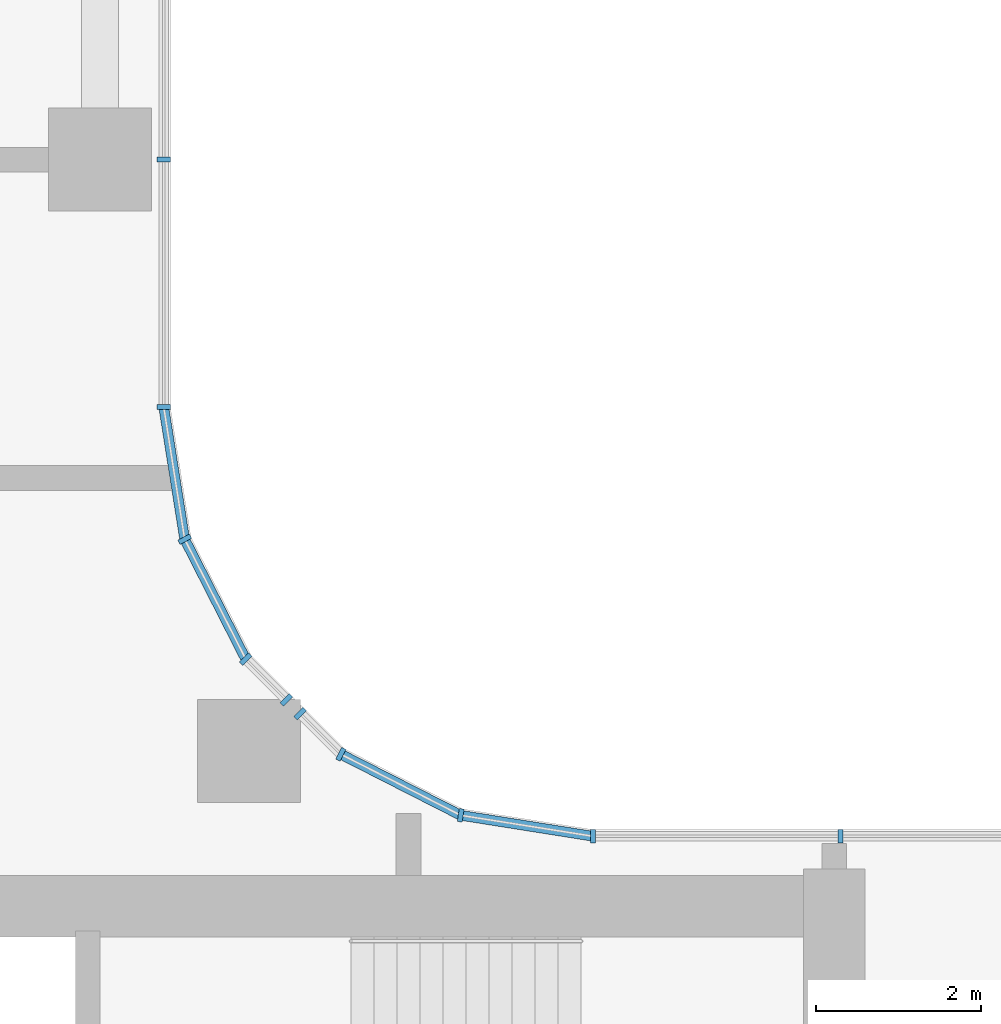
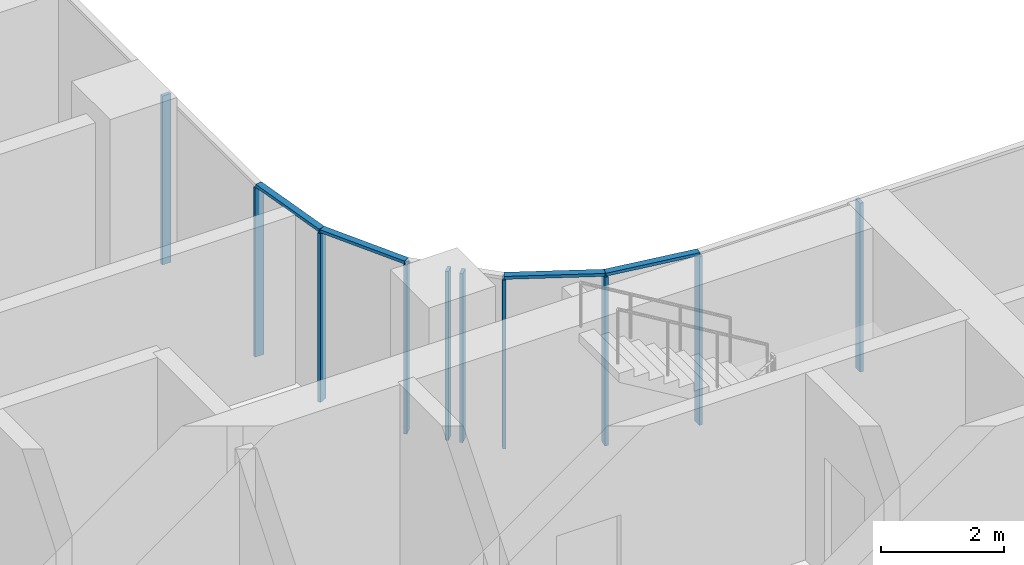
# One storey, part 2 of 35: 14 members, 4 elements without a shape of their own.
"""IFC4 building model written with IfcOpenShell, lengths in metres."""

from ifc_helpers import new_model, si_unit, direction, frame, origin, origin_2d, place, context, subcontext, project, spatial, rectangle, extrude, material, material_profile, profile_set, type_object, element, aggregate, save


model = new_model("IFC4")

# Units and contexts
model_context = context("Model", 3, precision=1e-05, world=origin(), true_north=direction((0.0, 1.0)))
body_context = subcontext(model_context, "Body", "Model", "MODEL_VIEW")
ifc_project = project(units=[si_unit("LENGTHUNIT", "METRE"), si_unit("AREAUNIT", "SQUARE_METRE"), si_unit("VOLUMEUNIT", "CUBIC_METRE"), si_unit("PLANEANGLEUNIT", "RADIAN"), si_unit("MASSUNIT", "GRAM", prefix="KILO")], contexts=[model_context])

# Site, building, storey
site_placement = place(None, origin())
site = spatial("IfcSite", under=ifc_project, at=site_placement, CompositionType="ELEMENT")
building_placement = place(site_placement, origin())
building = spatial("IfcBuilding", under=site, at=building_placement, Name="Ogive Portal Towers", CompositionType="ELEMENT")
storey_placement = place(building_placement, frame((0.0, 0.0, 94.5)))
storey = spatial("IfcBuildingStorey", under=building, at=storey_placement, Name="L22", CompositionType="ELEMENT", Elevation=94.5)

# Curtain wall, members
ifc_material_1 = material(Name="Glass, clear low-iron insulated glazing", Category="glass")
curtain_wall_type = type_object("IfcCurtainWallType", Name="CW FRONT RIBBON 4500", PredefinedType="NOTDEFINED", material=ifc_material_1)
curtain_wall_1_placement = place(storey_placement, origin())
curtain_wall_1 = element("IfcCurtainWall", 1, at=curtain_wall_1_placement, inside=storey, type_object=curtain_wall_type, Name="A:L22:f11:cw0", PredefinedType="NOTDEFINED")
ifc_material_2 = material(Name="Aluminium 6063 anodised", Category="aluminium")
ifc_material_profile_1 = material_profile(ifc_material_2, rectangle(XDim=0.159912109375, YDim=0.06005859375, at=origin_2d()), Name="AL 60x160")
ifc_profile_set_1 = profile_set([ifc_material_profile_1], Name="Aluminium 6063 anodised")
member_type_1 = type_object("IfcMemberType", Name="CW MULLION 60x160", PredefinedType="MULLION", material=ifc_profile_set_1)
member_1_placement = place(storey_placement, frame((58.5, 40.27490234375, 0.0), z_axis=(0.0, 0.0, 1.0), x_axis=(0.0, -1.0, 0.0)))
member_1 = element("IfcMember", 2, at=member_1_placement, type_object=member_type_1, Name="mullion", PredefinedType="MULLION", context=body_context, shape_type="SweptSolid", body=[
    extrude(rectangle(XDim=0.159912109375, YDim=0.06005859375, at=origin_2d()), origin(), (0.0, 0.0, 1.0), 3.340087890625),
])
member_2_placement = place(storey_placement, frame((55.49365234375, 40.27490234375, 0.0), z_axis=(0.0, 0.0, 1.0), x_axis=(0.0, -1.0, 0.0)))
member_2 = element("IfcMember", 3, at=member_2_placement, type_object=member_type_1, Name="mullion", PredefinedType="MULLION", context=body_context, shape_type="SweptSolid", body=[
    extrude(rectangle(XDim=0.159912109375, YDim=0.06005859375, at=origin_2d()), origin(), (0.0, 0.0, 1.0), 3.340087890625),
])
aggregate(curtain_wall_1, [member_1, member_2])

curtain_wall_2_placement = place(storey_placement, origin())
curtain_wall_2 = element("IfcCurtainWall", 4, at=curtain_wall_2_placement, inside=storey, type_object=curtain_wall_type, Name="A:L22:f17:cw0", PredefinedType="NOTDEFINED")
member_3_placement = place(storey_placement, frame((50.27490234375, 45.49365234375, 0.0), z_axis=(0.0, 0.0, 1.0), x_axis=(-1.0, 0.0, 0.0)))
member_3 = element("IfcMember", 5, at=member_3_placement, type_object=member_type_1, Name="mullion", PredefinedType="MULLION", context=body_context, shape_type="SweptSolid", body=[
    extrude(rectangle(XDim=0.159912109375, YDim=0.06005859375, at=origin_2d()), origin(), (0.0, 0.0, 1.0), 3.340087890625),
])
member_4_placement = place(storey_placement, frame((50.27490234375, 48.5, 0.0), z_axis=(0.0, 0.0, 1.0), x_axis=(-1.0, 0.0, 0.0)))
member_4 = element("IfcMember", 6, at=member_4_placement, type_object=member_type_1, Name="mullion", PredefinedType="MULLION", context=body_context, shape_type="SweptSolid", body=[
    extrude(rectangle(XDim=0.159912109375, YDim=0.06005859375, at=origin_2d()), origin(), (0.0, 0.0, 1.0), 3.340087890625),
])
aggregate(curtain_wall_2, [member_3, member_4])

curtain_wall_3_placement = place(storey_placement, origin())
curtain_wall_3 = element("IfcCurtainWall", 7, at=curtain_wall_3_placement, inside=storey, type_object=curtain_wall_type, Name="A:L22:f12:cwa~0", PredefinedType="NOTDEFINED")
member_5_placement = place(storey_placement, frame((53.885009765625, 40.52978515625, 0.0), z_axis=(0.0, 0.0, 1.0), x_axis=(-0.15643446504, -0.987688340595, 0.0)))
member_5 = element("IfcMember", 8, at=member_5_placement, type_object=member_type_1, Name="mullion", PredefinedType="MULLION", context=body_context, shape_type="SweptSolid", body=[
    extrude(rectangle(XDim=0.159912109375, YDim=0.06005859375, at=origin_2d()), origin(), (0.0, 0.0, 1.0), 3.340087890625),
])
member_6_placement = place(storey_placement, frame((52.42822265625, 41.27197265625, 0.0), z_axis=(0.0, 0.0, 1.0), x_axis=(-0.45399049974, -0.891006524188, 0.0)))
member_6 = element("IfcMember", 9, at=member_6_placement, type_object=member_type_1, Name="mullion", PredefinedType="MULLION", context=body_context, shape_type="SweptSolid", body=[
    extrude(rectangle(XDim=0.159912109375, YDim=0.06005859375, at=origin_2d()), origin(), (0.0, 0.0, 1.0), 3.340087890625),
])
member_7_placement = place(storey_placement, frame((51.93505859375, 41.765380859375, 0.0), z_axis=(0.0, 0.0, 1.0), x_axis=(-0.707106781187, -0.707106781187, 0.0)))
member_7 = element("IfcMember", 10, at=member_7_placement, type_object=member_type_1, Name="mullion", PredefinedType="MULLION", context=body_context, shape_type="SweptSolid", body=[
    extrude(rectangle(XDim=0.159912109375, YDim=0.06005859375, at=origin_2d()), origin(), (0.0, 0.0, 1.0), 3.340087890625),
])

curtain_wall_4_placement = place(storey_placement, origin())
curtain_wall_4 = element("IfcCurtainWall", 11, at=curtain_wall_4_placement, inside=storey, type_object=curtain_wall_type, Name="A:L22:f12:cwa~1", PredefinedType="NOTDEFINED")
member_8_placement = place(storey_placement, frame((51.765380859375, 41.93505859375, 0.0), z_axis=(0.0, 0.0, 1.0), x_axis=(-0.707106781187, -0.707106781187, 0.0)))
member_8 = element("IfcMember", 12, at=member_8_placement, type_object=member_type_1, Name="mullion", PredefinedType="MULLION", context=body_context, shape_type="SweptSolid", body=[
    extrude(rectangle(XDim=0.159912109375, YDim=0.06005859375, at=origin_2d()), origin(), (0.0, 0.0, 1.0), 3.340087890625),
])
member_9_placement = place(storey_placement, frame((51.27197265625, 42.42822265625, 0.0), z_axis=(0.0, 0.0, 1.0), x_axis=(-0.707106781187, -0.707106781187, 0.0)))
member_9 = element("IfcMember", 13, at=member_9_placement, type_object=member_type_1, Name="mullion", PredefinedType="MULLION", context=body_context, shape_type="SweptSolid", body=[
    extrude(rectangle(XDim=0.159912109375, YDim=0.06005859375, at=origin_2d()), origin(), (0.0, 0.0, 1.0), 3.340087890625),
])
member_10_placement = place(storey_placement, frame((50.52978515625, 43.885009765625, 0.0), z_axis=(0.0, 0.0, 1.0), x_axis=(-0.891006524188, -0.45399049974, 0.0)))
member_10 = element("IfcMember", 14, at=member_10_placement, type_object=member_type_1, Name="mullion", PredefinedType="MULLION", context=body_context, shape_type="SweptSolid", body=[
    extrude(rectangle(XDim=0.159912109375, YDim=0.06005859375, at=origin_2d()), origin(), (0.0, 0.0, 1.0), 3.340087890625),
])

# Member
ifc_material_profile_2 = material_profile(ifc_material_2, rectangle(XDim=0.1201171875, YDim=0.06005859375, at=origin_2d()), Name="AL 120x60")
ifc_profile_set_2 = profile_set([ifc_material_profile_2], Name="Aluminium 6063 anodised")
member_type_2 = type_object("IfcMemberType", Name="CW TRANSOM 60x120", PredefinedType="USERDEFINED", material=ifc_profile_set_2)
member_11_placement = place(storey_placement, frame((55.49365234375, 40.27490234375, 3.3701171875), z_axis=(-0.987678960592, 0.156493676561, 0.0), x_axis=(-0.156493676561, -0.987678960592, 0.0)))
member_11 = element("IfcMember", 15, at=member_11_placement, type_object=member_type_2, Name="transom", ObjectType="TRANSOM", PredefinedType="USERDEFINED", context=body_context, shape_type="SweptSolid", body=[
    extrude(rectangle(XDim=0.1201171875, YDim=0.06005859375, at=origin_2d()), origin(), (0.0, 0.0, 1.0), 1.628662109375),
])

member_12_placement = place(storey_placement, frame((53.885009765625, 40.52978515625, 3.3701171875), z_axis=(-0.891026961257, 0.453950387502, 0.0), x_axis=(-0.453950387502, -0.891026961257, 0.0)))
member_12 = element("IfcMember", 16, at=member_12_placement, type_object=member_type_2, Name="transom", ObjectType="TRANSOM", PredefinedType="USERDEFINED", context=body_context, shape_type="SweptSolid", body=[
    extrude(rectangle(XDim=0.1201171875, YDim=0.06005859375, at=origin_2d()), origin(), (0.0, 0.0, 1.0), 1.635009765625),
])

aggregate(curtain_wall_3, [member_11, member_12, member_5, member_6, member_7])

member_13_placement = place(storey_placement, frame((51.27197265625, 42.42822265625, 3.3701171875), z_axis=(-0.453950387502, 0.891026961257, 0.0), x_axis=(-0.891026961257, -0.453950387502, 0.0)))
member_13 = element("IfcMember", 17, at=member_13_placement, type_object=member_type_2, Name="transom", ObjectType="TRANSOM", PredefinedType="USERDEFINED", context=body_context, shape_type="SweptSolid", body=[
    extrude(rectangle(XDim=0.1201171875, YDim=0.06005859375, at=origin_2d()), origin(), (0.0, 0.0, 1.0), 1.635009765625),
])

member_14_placement = place(storey_placement, frame((50.52978515625, 43.885009765625, 3.3701171875), z_axis=(-0.156493676561, 0.987678960592, 0.0), x_axis=(-0.987678960592, -0.156493676561, 0.0)))
member_14 = element("IfcMember", 18, at=member_14_placement, type_object=member_type_2, Name="transom", ObjectType="TRANSOM", PredefinedType="USERDEFINED", context=body_context, shape_type="SweptSolid", body=[
    extrude(rectangle(XDim=0.1201171875, YDim=0.06005859375, at=origin_2d()), origin(), (0.0, 0.0, 1.0), 1.628662109375),
])

aggregate(curtain_wall_4, [member_13, member_14, member_8, member_9, member_10])

save(model, "model.ifc")
